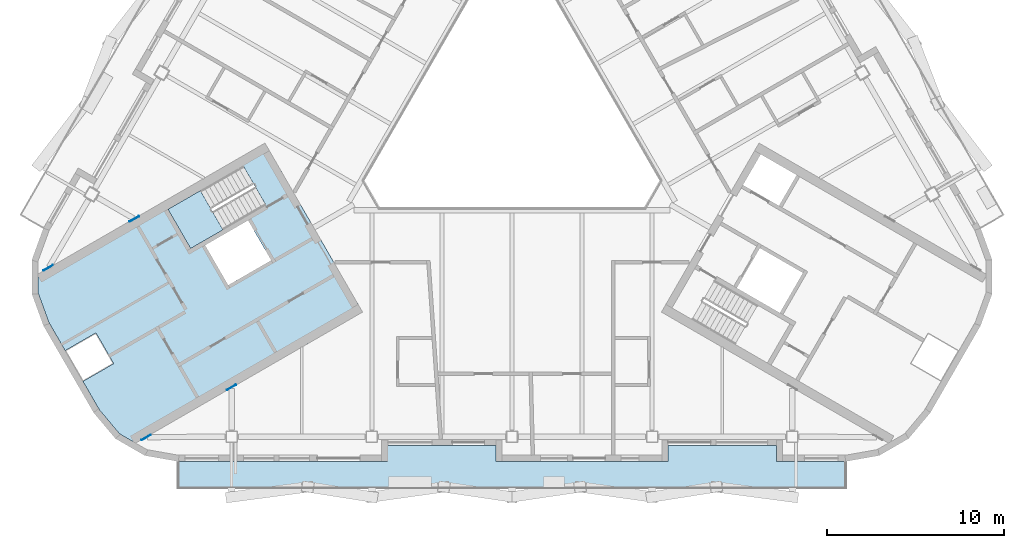
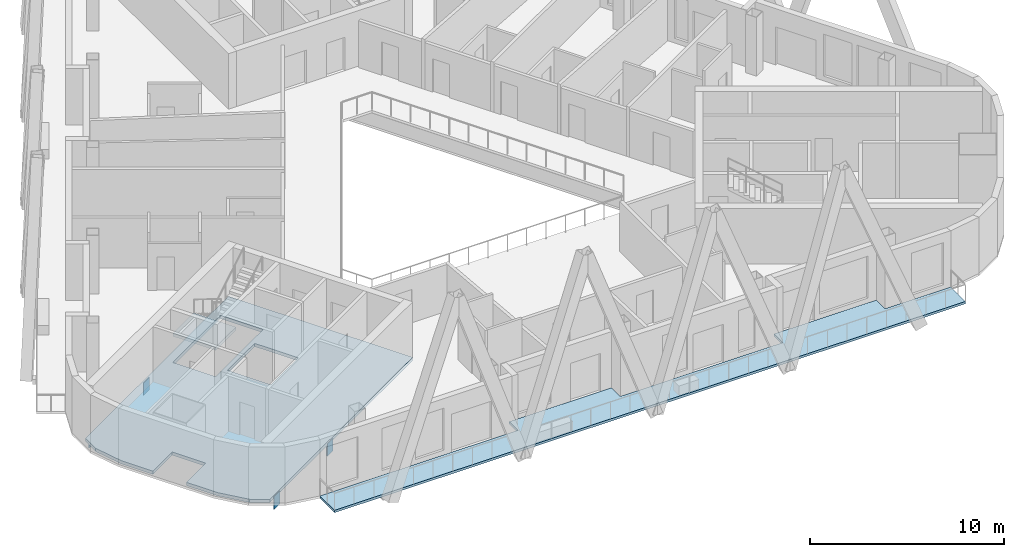
# One storey, part 2 of 18: 4 plates, 3 slabs, 1 element without a shape of its own.
"""IFC4 building model written with IfcOpenShell, lengths in metres."""

from ifc_helpers import new_model, si_unit, direction, frame, origin, origin_2d, place, context, subcontext, project, spatial, polyline, rectangle, outline, extrude, material, layer, layer_set, type_object, element, aggregate, save


model = new_model("IFC4")

# Units and contexts
model_context = context("Model", 3, precision=1e-05, world=origin(), true_north=direction((0.0, 1.0)))
body_context = subcontext(model_context, "Body", "Model", "MODEL_VIEW")
ifc_project = project(units=[si_unit("LENGTHUNIT", "METRE"), si_unit("AREAUNIT", "SQUARE_METRE"), si_unit("VOLUMEUNIT", "CUBIC_METRE"), si_unit("PLANEANGLEUNIT", "RADIAN"), si_unit("MASSUNIT", "GRAM", prefix="KILO")], contexts=[model_context])

# Site, building, storey
site_placement = place(None, origin())
site = spatial("IfcSite", under=ifc_project, at=site_placement, CompositionType="ELEMENT")
building_placement = place(site_placement, origin())
building = spatial("IfcBuilding", under=site, at=building_placement, Name="Apuvela Tower Hotel", CompositionType="ELEMENT")
storey_placement = place(building_placement, frame((0.0, 0.0, 246.699951171875)))
storey = spatial("IfcBuildingStorey", under=building, at=storey_placement, Name="L60", CompositionType="ELEMENT", Elevation=246.699951171875)

# Slab
ifc_material_1 = material(Name="Concrete C50/60", Category="concrete")
ifc_layer_1 = layer(ifc_material_1, 0.199951171875)
ifc_layer_set_1 = layer_set([ifc_layer_1], Name="COR-FLOOR-200")
slab_type_1 = type_object("IfcSlabType", Name="COR-FLOOR-200", PredefinedType="FLOOR", material=ifc_layer_set_1)
slab_1_placement = place(storey_placement, frame((0.0, 0.0, -0.199951171875)))
element("IfcSlab", 1, at=slab_1_placement, inside=storey, type_object=slab_type_1, Name="Core floor SW", PredefinedType="FLOOR", context=body_context, shape_type="SweptSolid", body=[
    extrude(outline(polyline([(-26.711181640625, -9.07080078125), (-26.711181640625, -10.123291015625), (-26.109375, -11.77734375), (-25.181640625, -13.384033203125), (-23.44970703125, -12.384033203125), (-22.44970703125, -14.115966796875), (-24.181640625, -15.115966796875), (-23.254150390625, -16.72265625), (-22.122802734375, -18.071044921875), (-21.211181640625, -18.59716796875), (-8.421630859375, -11.213134765625), (-13.921630859375, -1.68701171875), (-26.711181640625, -9.07080078125)]), holes=[polyline([(-13.874267578125, -5.18115234375), (-18.112548828125, -7.628173828125), (-19.387451171875, -5.419921875), (-15.149169921875, -2.972900390625), (-13.874267578125, -5.18115234375)]), polyline([(-13.56982421875, -8.29638671875), (-15.99462890625, -9.6962890625), (-17.294677734375, -7.444580078125), (-14.869873046875, -6.044677734375), (-13.56982421875, -8.29638671875)])]), origin(), (0.0, 0.0, 1.0), 0.199951171875),
])

# Stair, slab
stair_type = type_object("IfcStairType", Name="COR-STAIR-22R", PredefinedType="HALF_TURN_STAIR", material=ifc_material_1)
stair_placement = place(storey_placement, origin())
stair = element("IfcStair", 2, at=stair_placement, inside=storey, type_object=stair_type, Name="L60 Exit stair ST2", PredefinedType="HALF_TURN_STAIR")
ifc_layer_2 = layer(ifc_material_1, 0.199951171875)
ifc_layer_set_2 = layer_set([ifc_layer_2], Name="COR-LANDING-200")
slab_type_2 = type_object("IfcSlabType", Name="COR-LANDING-200", PredefinedType="LANDING", material=ifc_layer_set_2)
slab_2_placement = place(storey_placement, frame((0.0, 0.0, 1.650146484375)))
slab_2 = element("IfcSlab", 3, at=slab_2_placement, type_object=slab_type_2, Name="ST2 landing 1", PredefinedType="LANDING", context=body_context, shape_type="SweptSolid", body=[
    extrude(outline(polyline([(-17.563720703125, -4.366943359375), (-19.387451171875, -5.419921875), (-18.112548828125, -7.628173828125), (-16.28857421875, -6.5751953125), (-17.563720703125, -4.366943359375)])), origin(), (0.0, 0.0, 1.0), 0.199951171875),
])
aggregate(stair, [slab_2])

# Slab
ifc_material_2 = material(Name="Concrete C40/50, fair-faced", Category="concrete")
ifc_layer_3 = layer(ifc_material_2, 0.14990234375)
ifc_layer_set_3 = layer_set([ifc_layer_3], Name="ENV-BALCONY-150")
slab_type_3 = type_object("IfcSlabType", Name="ENV-BALCONY-150", PredefinedType="FLOOR", material=ifc_layer_set_3)
slab_3_placement = place(storey_placement, frame((0.0, 0.0, -0.14990234375)))
element("IfcSlab", 4, at=slab_3_placement, inside=storey, type_object=slab_type_3, Name="Balcony slab S L60", PredefinedType="FLOOR", context=body_context, shape_type="SweptSolid", body=[
    extrude(outline(polyline([(18.82080078125, -21.135009765625), (-18.82080078125, -21.135009765625), (-18.82080078125, -19.625), (-7.0048828125, -19.625), (-7.0048828125, -18.72509765625), (-0.89501953125, -18.72509765625), (-0.89501953125, -19.625), (8.794921875, -19.625), (8.794921875, -18.72509765625), (14.905029296875, -18.72509765625), (14.905029296875, -19.625), (18.82080078125, -19.625), (18.82080078125, -21.135009765625)])), origin(), (0.0, 0.0, 1.0), 0.14990234375),
])

# Plates
ifc_material_3 = material(Name="Steel S355", Category="steel")
ifc_layer_4 = layer(ifc_material_3, 0.0400390625)
ifc_layer_set_4 = layer_set([ifc_layer_4], Name="STR-CP 40 Steel S355")
plate_type = type_object("IfcPlateType", Name="STR-CP 40 Steel S355", PredefinedType="SHEET", material=ifc_layer_set_4)
for number, where, z_axis, x_axis, name in (
    (5, (-20.622802734375, -18.280517578125, -0.85009765625), (0.0, 0.0, 1.0), (0.5, -0.866025403784, 0.0), "Cast-in plate CP-T2-61 40"),
    (6, (-26.142578125, -8.719482421875, -0.85009765625), (0.0, 0.0, 1.0), (-0.5, 0.866025403784, 0.0), "Cast-in plate CP-T2-66 40"),
    (7, (-21.2900390625, -5.964111328125, -0.89990234375), (0.0, 0.0, 1.0), (0.5, -0.866025403784, 0.0), "Cast-in plate CP-T2-70 40"),
    (8, (-15.81005859375, -15.455810546875, -0.89990234375), (0.0, 0.0, 1.0), (-0.5, 0.866025403784, 0.0), "Cast-in plate CP-T2-71 40"),
):
    element("IfcPlate", number, at=place(storey_placement, frame(where, z_axis=z_axis, x_axis=x_axis)), inside=storey, type_object=plate_type, Name=name, PredefinedType="SHEET", context=body_context, shape_type="SweptSolid", body=[
        extrude(rectangle(XDim=0.0400390625, YDim=0.60009765625, at=origin_2d()), origin(), (0.0, 0.0, 1.0), 0.800048828125),
    ])

save(model, "model.ifc")
